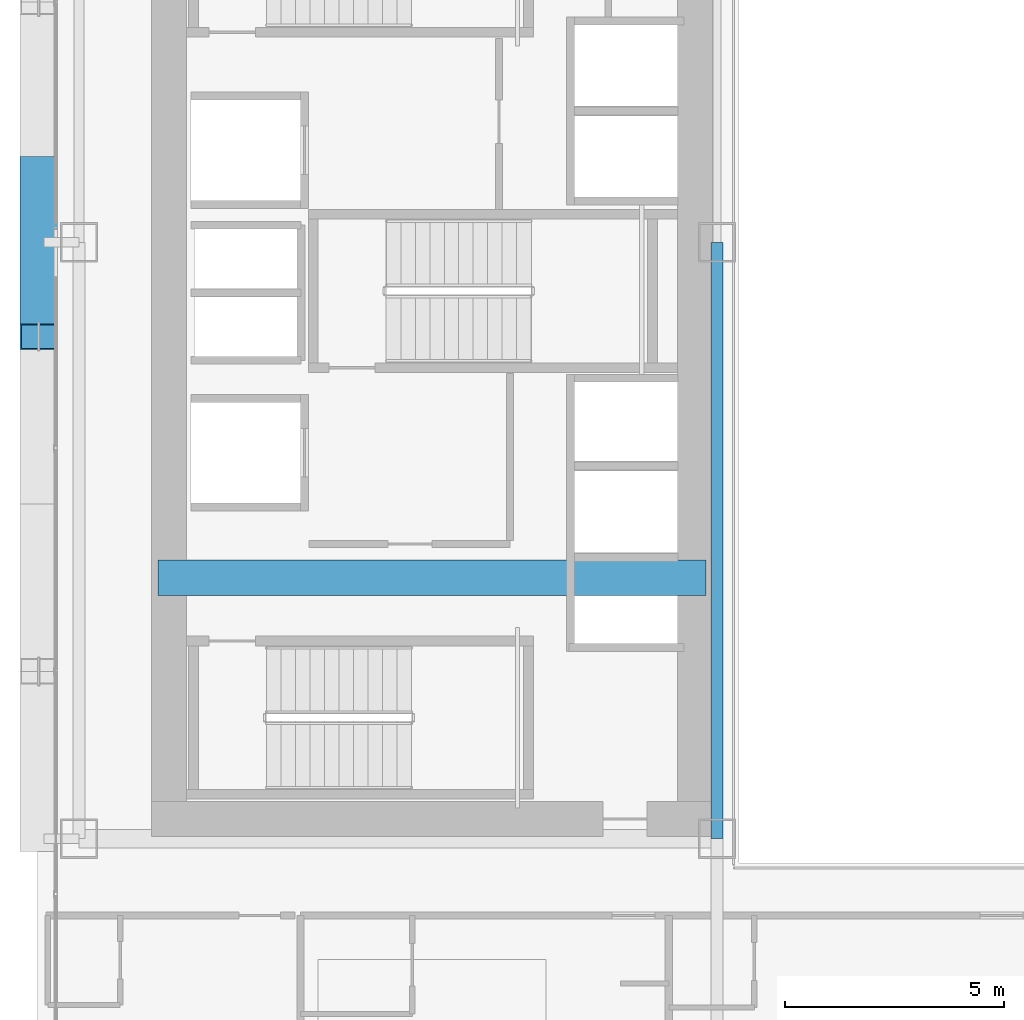
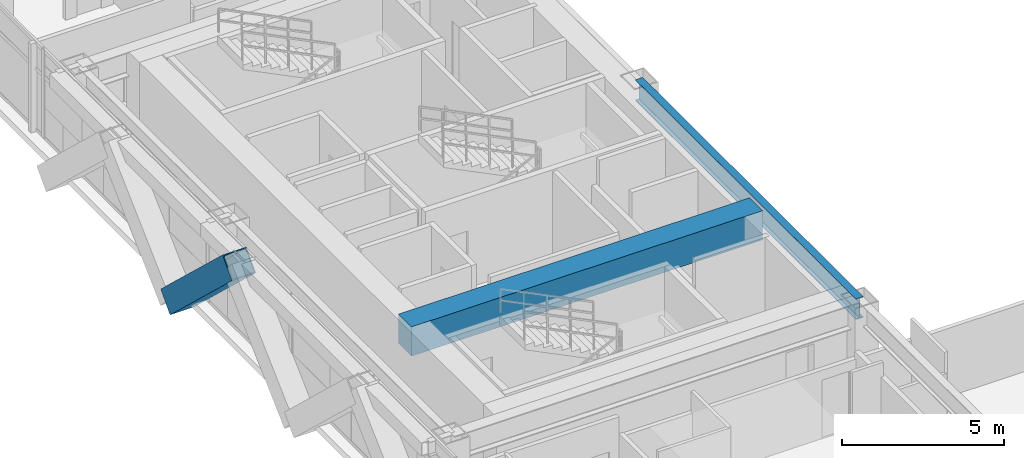
# One storey, part 7 of 35: 2 beams, 1 member.
"""IFC4 building model written with IfcOpenShell, lengths in metres."""

from ifc_helpers import new_model, si_unit, direction, frame, origin, origin_2d, place, context, subcontext, project, spatial, rectangle, hollow_rectangle, i_section, extrude, source, transform, mapped, material, material_profile, profile_set, type_object, element, save


model = new_model("IFC4")

# Units and contexts
model_context = context("Model", 3, precision=1e-05, world=origin(), true_north=direction((0.0, 1.0)))
body_context = subcontext(model_context, "Body", "Model", "MODEL_VIEW")
ifc_project = project(units=[si_unit("LENGTHUNIT", "METRE"), si_unit("AREAUNIT", "SQUARE_METRE"), si_unit("VOLUMEUNIT", "CUBIC_METRE"), si_unit("PLANEANGLEUNIT", "RADIAN"), si_unit("MASSUNIT", "GRAM", prefix="KILO")], contexts=[model_context])

# Site, building, storey
site_placement = place(None, origin())
site = spatial("IfcSite", under=ifc_project, at=site_placement, CompositionType="ELEMENT")
building_placement = place(site_placement, origin())
building = spatial("IfcBuilding", under=site, at=building_placement, Name="Ocotamira Hotel", CompositionType="ELEMENT")
storey_placement = place(building_placement, frame((0.0, 0.0, 56.39990234375)))
storey = spatial("IfcBuildingStorey", under=building, at=storey_placement, Name="L13", CompositionType="ELEMENT", Elevation=56.39990234375)

# Beams
ifc_material_1 = material(Name="Concrete C60/75", Category="concrete")
ifc_material_profile_1 = material_profile(ifc_material_1, rectangle(XDim=0.800048828125, YDim=1.10009765625, at=origin_2d()), Name="RC800X1100")
ifc_profile_set_1 = profile_set([ifc_material_profile_1], Name="Concrete C60/75")
beam_type_1 = type_object("IfcBeamType", Name="BM-LINK-RC800", PredefinedType="LINTEL", material=ifc_profile_set_1)
shared_shape_1 = source(origin(), body_context, "Body", "SweptSolid", [
    extrude(rectangle(XDim=0.800048828125, YDim=1.10009765625, at=origin_2d()), origin(), (0.0, 0.0, 1.0), 12.5),
])
beam_1_placement = place(storey_placement, frame((10.75, 20.5, 2.800048828125), z_axis=(1.0, 0.0, 0.0), x_axis=(0.0, 1.0, 0.0)))
element("IfcBeam", 1, at=beam_1_placement, inside=storey, type_object=beam_type_1, Name="L13 West Core Coupling Beam", PredefinedType="LINTEL", context=body_context, shape_type="MappedRepresentation", body=[
    mapped(shared_shape_1, transform((0.0, 0.0, 0.0), scale=1.0)),
])
ifc_material_2 = material(Name="Steel ASTM A992 Grade 50", Category="steel")
ifc_material_profile_2 = material_profile(ifc_material_2, i_section(OverallWidth=0.26611328125, OverallDepth=0.779052734375, WebThickness=0.0166015625, FlangeThickness=0.030029296875, FilletRadius=0.01806640625, at=origin_2d()), Name="W30X148")
ifc_profile_set_2 = profile_set([ifc_material_profile_2], Name="Steel ASTM A992 Grade 50")
beam_type_2 = type_object("IfcBeamType", Name="BM-GIRD-W30X148", PredefinedType="BEAM", material=ifc_profile_set_2)
shared_shape_2 = source(origin(), body_context, "Body", "SweptSolid", [
    extrude(i_section(OverallWidth=0.26611328125, OverallDepth=0.779052734375, WebThickness=0.0166015625, FlangeThickness=0.030029296875, FilletRadius=0.01806640625, at=origin_2d()), origin(), (0.0, 0.0, 1.0), 13.599853515625),
])
beam_2_placement = place(storey_placement, frame((23.5, 14.550048828125, 2.960693359375), z_axis=(0.0, 1.0, 0.0), x_axis=(-1.0, 0.0, 0.0)))
element("IfcBeam", 2, at=beam_2_placement, inside=storey, type_object=beam_type_2, Name="L13 Beam X23.5 Y14.55-28.15", PredefinedType="BEAM", context=body_context, shape_type="MappedRepresentation", body=[
    mapped(shared_shape_2, transform((0.0, 0.0, 0.0), scale=1.0)),
])

# Member
ifc_material_3 = material(Name="Pale-metal coated steel ASTM A913 Grade 65", Category="steel")
ifc_material_profile_3 = material_profile(ifc_material_3, hollow_rectangle(XDim=0.85009765625, YDim=0.85009765625, WallThickness=0.035888671875, at=origin_2d()), Name="BOX850X850X36")
ifc_profile_set_3 = profile_set([ifc_material_profile_3], Name="Pale-metal coated steel ASTM A913 Grade 65")
member_type = type_object("IfcMemberType", Name="MEM-EXO-BOX850", PredefinedType="BRACE", material=ifc_profile_set_3)
shared_shape_3 = source(origin(), body_context, "Body", "SweptSolid", [
    extrude(hollow_rectangle(XDim=0.85009765625, YDim=0.85009765625, WallThickness=0.035888671875, at=origin_2d()), origin(), (0.0, 0.0, 1.0), 5.24658203125),
])
member_placement = place(storey_placement, frame((8.030029296875, 29.816650390625, -0.5), z_axis=(0.0, -0.727442733726, 0.686168397078), x_axis=(1.0, 0.0, 0.0)))
element("IfcMember", 3, at=member_placement, inside=storey, type_object=member_type, Name="L13 Exoskeleton Diagrid W1.2", PredefinedType="BRACE", context=body_context, shape_type="MappedRepresentation", body=[
    mapped(shared_shape_3, transform((0.0, 0.0, 0.0), scale=1.0)),
])

save(model, "model.ifc")
